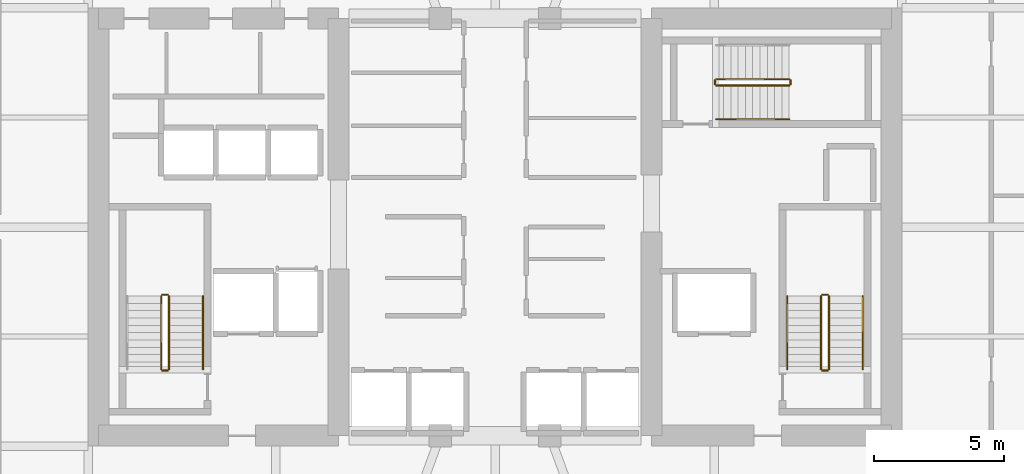
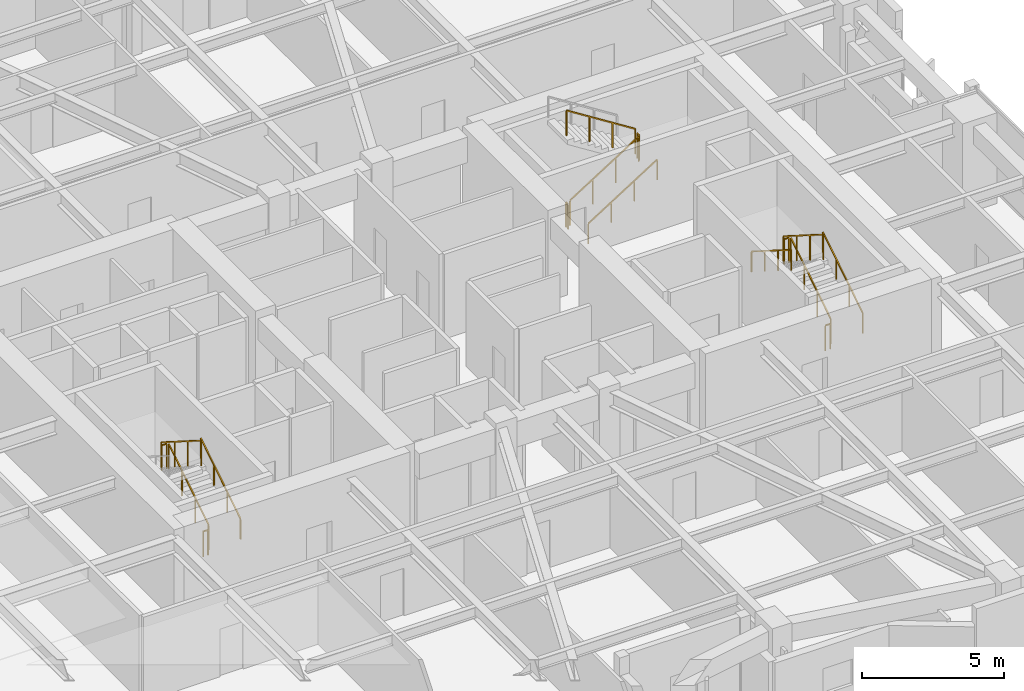
# One storey, part 23 of 24: 16 railings.
"""IFC4 building model written with IfcOpenShell, lengths in metres."""

from ifc_helpers import new_model, si_unit, direction, frame, origin, origin_2d, place, context, subcontext, project, spatial, rectangle, extrude, material, type_object, element, save


model = new_model("IFC4")

# Units and contexts
model_context = context("Model", 3, precision=1e-05, world=origin(), true_north=direction((0.0, 1.0)))
body_context = subcontext(model_context, "Body", "Model", "MODEL_VIEW")
ifc_project = project(units=[si_unit("LENGTHUNIT", "METRE"), si_unit("AREAUNIT", "SQUARE_METRE"), si_unit("VOLUMEUNIT", "CUBIC_METRE"), si_unit("PLANEANGLEUNIT", "RADIAN"), si_unit("MASSUNIT", "GRAM", prefix="KILO")], contexts=[model_context])

# Site, building, storey
site_placement = place(None, origin())
site = spatial("IfcSite", under=ifc_project, at=site_placement, CompositionType="ELEMENT")
building_placement = place(site_placement, origin())
building = spatial("IfcBuilding", under=site, at=building_placement, Name="Kiyonajd Concourse Tower", CompositionType="ELEMENT")
storey_placement = place(building_placement, frame((0.0, 0.0, 105.300048828125)))
storey = spatial("IfcBuildingStorey", under=building, at=storey_placement, Name="L27", CompositionType="ELEMENT", Elevation=105.300048828125)

# Railings
ifc_material_1 = material(Name="Steel ASTM A500 Grade C", Category="steel")
railing_type_1 = type_object("IfcRailingType", Name="RL-GRD-STR", PredefinedType="GUARDRAIL", material=ifc_material_1)
railing_1_placement = place(storey_placement, frame((35.5, 30.550048828125, 0.17724609375)))
element("IfcRailing", 1, at=railing_1_placement, inside=storey, type_object=railing_type_1, Name="L27 ST1 stair guard 1", PredefinedType="GUARDRAIL", context=body_context, shape_type="SweptSolid", body=[
    extrude(rectangle(XDim=0.048095703125, YDim=0.048095703125, at=origin_2d()), frame((0.0, 0.0, 1.076171875), z_axis=(0.0, 0.844908973607, 0.534910110503), x_axis=(-1.0, 0.0, 0.0)), (0.0, 0.0, 1.0), 3.31396484375),
    extrude(rectangle(XDim=0.0419921875, YDim=0.0419921875, at=origin_2d()), origin(), (0.0, 0.0, 1.0), 1.052001953125),
    extrude(rectangle(XDim=0.0419921875, YDim=0.0419921875, at=origin_2d()), frame((0.0, 0.933349609375, 0.5908203125)), (0.0, 0.0, 1.0), 1.052001953125),
    extrude(rectangle(XDim=0.0419921875, YDim=0.0419921875, at=origin_2d()), frame((0.0, 1.86669921875, 1.181884765625)), (0.0, 0.0, 1.0), 1.052001953125),
    extrude(rectangle(XDim=0.0419921875, YDim=0.0419921875, at=origin_2d()), frame((0.0, 2.800048828125, 1.772705078125)), (0.0, 0.0, 1.0), 1.052001953125),
])
railing_2_placement = place(storey_placement, frame((35.449951171875, 33.39990234375, 1.949951171875)))
element("IfcRailing", 2, at=railing_2_placement, inside=storey, type_object=railing_type_1, Name="L27 ST1 stair guard 2", PredefinedType="GUARDRAIL", context=body_context, shape_type="SweptSolid", body=[
    extrude(rectangle(XDim=0.048095703125, YDim=0.048095703125, at=origin_2d()), frame((0.0, 0.0, 1.076171875), z_axis=(-1.0, 0.0, 0.0), x_axis=(0.0, -1.0, 0.0)), (0.0, 0.0, 1.0), 0.199951171875),
    extrude(rectangle(XDim=0.0419921875, YDim=0.0419921875, at=origin_2d()), origin(), (0.0, 0.0, 1.0), 1.052001953125),
    extrude(rectangle(XDim=0.0419921875, YDim=0.0419921875, at=origin_2d()), frame((-0.199951171875, 0.0, 0.0)), (0.0, 0.0, 1.0), 1.052001953125),
])
railing_3_placement = place(storey_placement, frame((35.199951171875, 33.35009765625, 2.127197265625)))
element("IfcRailing", 3, at=railing_3_placement, inside=storey, type_object=railing_type_1, Name="L27 ST1 stair guard 3", PredefinedType="GUARDRAIL", context=body_context, shape_type="SweptSolid", body=[
    extrude(rectangle(XDim=0.048095703125, YDim=0.048095703125, at=origin_2d()), frame((0.0, 0.0, 1.076171875), z_axis=(0.0, -0.844908973607, 0.534910110503), x_axis=(1.0, 0.0, 0.0)), (0.0, 0.0, 1.0), 3.31396484375),
    extrude(rectangle(XDim=0.0419921875, YDim=0.0419921875, at=origin_2d()), origin(), (0.0, 0.0, 1.0), 1.052001953125),
    extrude(rectangle(XDim=0.0419921875, YDim=0.0419921875, at=origin_2d()), frame((0.0, -0.933349609375, 0.5908203125)), (0.0, 0.0, 1.0), 1.052001953125),
    extrude(rectangle(XDim=0.0419921875, YDim=0.0419921875, at=origin_2d()), frame((0.0, -1.86669921875, 1.181884765625)), (0.0, 0.0, 1.0), 1.052001953125),
    extrude(rectangle(XDim=0.0419921875, YDim=0.0419921875, at=origin_2d()), frame((0.0, -2.800048828125, 1.772705078125)), (0.0, 0.0, 1.0), 1.052001953125),
])
railing_4_placement = place(storey_placement, frame((35.449951171875, 30.5, 0.0)))
element("IfcRailing", 4, at=railing_4_placement, inside=storey, type_object=railing_type_1, Name="L27 ST1 stair guard 4", PredefinedType="GUARDRAIL", context=body_context, shape_type="SweptSolid", body=[
    extrude(rectangle(XDim=0.048095703125, YDim=0.048095703125, at=origin_2d()), frame((0.0, 0.0, 1.076171875), z_axis=(-1.0, 0.0, 0.0), x_axis=(0.0, -1.0, 0.0)), (0.0, 0.0, 1.0), 0.199951171875),
    extrude(rectangle(XDim=0.0419921875, YDim=0.0419921875, at=origin_2d()), origin(), (0.0, 0.0, 1.0), 1.052001953125),
    extrude(rectangle(XDim=0.0419921875, YDim=0.0419921875, at=origin_2d()), frame((-0.199951171875, 0.0, 0.0)), (0.0, 0.0, 1.0), 1.052001953125),
])
railing_5_placement = place(storey_placement, frame((60.800048828125, 30.550048828125, 0.17724609375)))
element("IfcRailing", 5, at=railing_5_placement, inside=storey, type_object=railing_type_1, Name="L27 ST2 stair guard 1", PredefinedType="GUARDRAIL", context=body_context, shape_type="SweptSolid", body=[
    extrude(rectangle(XDim=0.048095703125, YDim=0.048095703125, at=origin_2d()), frame((0.0, 0.0, 1.076171875), z_axis=(0.0, 0.844908973607, 0.534910110503), x_axis=(-1.0, 0.0, 0.0)), (0.0, 0.0, 1.0), 3.31396484375),
    extrude(rectangle(XDim=0.0419921875, YDim=0.0419921875, at=origin_2d()), origin(), (0.0, 0.0, 1.0), 1.052001953125),
    extrude(rectangle(XDim=0.0419921875, YDim=0.0419921875, at=origin_2d()), frame((0.0, 0.933349609375, 0.5908203125)), (0.0, 0.0, 1.0), 1.052001953125),
    extrude(rectangle(XDim=0.0419921875, YDim=0.0419921875, at=origin_2d()), frame((0.0, 1.86669921875, 1.181884765625)), (0.0, 0.0, 1.0), 1.052001953125),
    extrude(rectangle(XDim=0.0419921875, YDim=0.0419921875, at=origin_2d()), frame((0.0, 2.800048828125, 1.772705078125)), (0.0, 0.0, 1.0), 1.052001953125),
])
railing_6_placement = place(storey_placement, frame((60.75, 33.39990234375, 1.949951171875)))
element("IfcRailing", 6, at=railing_6_placement, inside=storey, type_object=railing_type_1, Name="L27 ST2 stair guard 2", PredefinedType="GUARDRAIL", context=body_context, shape_type="SweptSolid", body=[
    extrude(rectangle(XDim=0.048095703125, YDim=0.048095703125, at=origin_2d()), frame((0.0, 0.0, 1.076171875), z_axis=(-1.0, 0.0, 0.0), x_axis=(0.0, -1.0, 0.0)), (0.0, 0.0, 1.0), 0.199951171875),
    extrude(rectangle(XDim=0.0419921875, YDim=0.0419921875, at=origin_2d()), origin(), (0.0, 0.0, 1.0), 1.052001953125),
    extrude(rectangle(XDim=0.0419921875, YDim=0.0419921875, at=origin_2d()), frame((-0.199951171875, 0.0, 0.0)), (0.0, 0.0, 1.0), 1.052001953125),
])
railing_7_placement = place(storey_placement, frame((60.5, 33.35009765625, 2.127197265625)))
element("IfcRailing", 7, at=railing_7_placement, inside=storey, type_object=railing_type_1, Name="L27 ST2 stair guard 3", PredefinedType="GUARDRAIL", context=body_context, shape_type="SweptSolid", body=[
    extrude(rectangle(XDim=0.048095703125, YDim=0.048095703125, at=origin_2d()), frame((0.0, 0.0, 1.076171875), z_axis=(0.0, -0.844908973607, 0.534910110503), x_axis=(1.0, 0.0, 0.0)), (0.0, 0.0, 1.0), 3.31396484375),
    extrude(rectangle(XDim=0.0419921875, YDim=0.0419921875, at=origin_2d()), origin(), (0.0, 0.0, 1.0), 1.052001953125),
    extrude(rectangle(XDim=0.0419921875, YDim=0.0419921875, at=origin_2d()), frame((0.0, -0.933349609375, 0.5908203125)), (0.0, 0.0, 1.0), 1.052001953125),
    extrude(rectangle(XDim=0.0419921875, YDim=0.0419921875, at=origin_2d()), frame((0.0, -1.86669921875, 1.181884765625)), (0.0, 0.0, 1.0), 1.052001953125),
    extrude(rectangle(XDim=0.0419921875, YDim=0.0419921875, at=origin_2d()), frame((0.0, -2.800048828125, 1.772705078125)), (0.0, 0.0, 1.0), 1.052001953125),
])
railing_8_placement = place(storey_placement, frame((60.75, 30.5, 0.0)))
element("IfcRailing", 8, at=railing_8_placement, inside=storey, type_object=railing_type_1, Name="L27 ST2 stair guard 4", PredefinedType="GUARDRAIL", context=body_context, shape_type="SweptSolid", body=[
    extrude(rectangle(XDim=0.048095703125, YDim=0.048095703125, at=origin_2d()), frame((0.0, 0.0, 1.076171875), z_axis=(-1.0, 0.0, 0.0), x_axis=(0.0, -1.0, 0.0)), (0.0, 0.0, 1.0), 0.199951171875),
    extrude(rectangle(XDim=0.0419921875, YDim=0.0419921875, at=origin_2d()), origin(), (0.0, 0.0, 1.0), 1.052001953125),
    extrude(rectangle(XDim=0.0419921875, YDim=0.0419921875, at=origin_2d()), frame((-0.199951171875, 0.0, 0.0)), (0.0, 0.0, 1.0), 1.052001953125),
])
railing_9_placement = place(storey_placement, frame((56.47998046875, 41.429931640625, 0.17724609375)))
element("IfcRailing", 9, at=railing_9_placement, inside=storey, type_object=railing_type_1, Name="L27 ST3 stair guard 1", PredefinedType="GUARDRAIL", context=body_context, shape_type="SweptSolid", body=[
    extrude(rectangle(XDim=0.048095703125, YDim=0.048095703125, at=origin_2d()), frame((0.0, 0.0, 1.076171875), z_axis=(0.844908973607, 0.0, 0.534910110503), x_axis=(0.0, 1.0, 0.0)), (0.0, 0.0, 1.0), 3.31396484375),
    extrude(rectangle(XDim=0.0419921875, YDim=0.0419921875, at=origin_2d()), origin(), (0.0, 0.0, 1.0), 1.052001953125),
    extrude(rectangle(XDim=0.0419921875, YDim=0.0419921875, at=origin_2d()), frame((0.933349609375, 0.0, 0.5908203125)), (0.0, 0.0, 1.0), 1.052001953125),
    extrude(rectangle(XDim=0.0419921875, YDim=0.0419921875, at=origin_2d()), frame((1.86669921875, 0.0, 1.181884765625)), (0.0, 0.0, 1.0), 1.052001953125),
    extrude(rectangle(XDim=0.0419921875, YDim=0.0419921875, at=origin_2d()), frame((2.800048828125, 0.0, 1.772705078125)), (0.0, 0.0, 1.0), 1.052001953125),
])
railing_10_placement = place(storey_placement, frame((59.330078125, 41.47998046875, 1.949951171875)))
element("IfcRailing", 10, at=railing_10_placement, inside=storey, type_object=railing_type_1, Name="L27 ST3 stair guard 2", PredefinedType="GUARDRAIL", context=body_context, shape_type="SweptSolid", body=[
    extrude(rectangle(XDim=0.048095703125, YDim=0.048095703125, at=origin_2d()), frame((0.0, 0.0, 1.076171875), z_axis=(0.0, 1.0, 0.0), x_axis=(-1.0, 0.0, 0.0)), (0.0, 0.0, 1.0), 0.14013671875),
    extrude(rectangle(XDim=0.0419921875, YDim=0.0419921875, at=origin_2d()), origin(), (0.0, 0.0, 1.0), 1.052001953125),
    extrude(rectangle(XDim=0.0419921875, YDim=0.0419921875, at=origin_2d()), frame((0.0, 0.14013671875, 0.0)), (0.0, 0.0, 1.0), 1.052001953125),
])
railing_11_placement = place(storey_placement, frame((59.280029296875, 41.669921875, 2.127197265625)))
element("IfcRailing", 11, at=railing_11_placement, inside=storey, type_object=railing_type_1, Name="L27 ST3 stair guard 3", PredefinedType="GUARDRAIL", context=body_context, shape_type="SweptSolid", body=[
    extrude(rectangle(XDim=0.048095703125, YDim=0.048095703125, at=origin_2d()), frame((0.0, 0.0, 1.076171875), z_axis=(-0.844908973607, 0.0, 0.534910110503), x_axis=(0.0, -1.0, 0.0)), (0.0, 0.0, 1.0), 3.31396484375),
    extrude(rectangle(XDim=0.0419921875, YDim=0.0419921875, at=origin_2d()), origin(), (0.0, 0.0, 1.0), 1.052001953125),
    extrude(rectangle(XDim=0.0419921875, YDim=0.0419921875, at=origin_2d()), frame((-0.933349609375, 0.0, 0.5908203125)), (0.0, 0.0, 1.0), 1.052001953125),
    extrude(rectangle(XDim=0.0419921875, YDim=0.0419921875, at=origin_2d()), frame((-1.86669921875, 0.0, 1.181884765625)), (0.0, 0.0, 1.0), 1.052001953125),
    extrude(rectangle(XDim=0.0419921875, YDim=0.0419921875, at=origin_2d()), frame((-2.800048828125, 0.0, 1.772705078125)), (0.0, 0.0, 1.0), 1.052001953125),
])
railing_12_placement = place(storey_placement, frame((56.429931640625, 41.47998046875, 0.0)))
element("IfcRailing", 12, at=railing_12_placement, inside=storey, type_object=railing_type_1, Name="L27 ST3 stair guard 4", PredefinedType="GUARDRAIL", context=body_context, shape_type="SweptSolid", body=[
    extrude(rectangle(XDim=0.048095703125, YDim=0.048095703125, at=origin_2d()), frame((0.0, 0.0, 1.076171875), z_axis=(0.0, 1.0, 0.0), x_axis=(-1.0, 0.0, 0.0)), (0.0, 0.0, 1.0), 0.14013671875),
    extrude(rectangle(XDim=0.0419921875, YDim=0.0419921875, at=origin_2d()), origin(), (0.0, 0.0, 1.0), 1.052001953125),
    extrude(rectangle(XDim=0.0419921875, YDim=0.0419921875, at=origin_2d()), frame((0.0, 0.14013671875, 0.0)), (0.0, 0.0, 1.0), 1.052001953125),
])
ifc_material_2 = material(Name="Brushed Stainless Steel Cab Assembly", Category="steel")
railing_type_2 = type_object("IfcRailingType", Name="RL-HND-900", PredefinedType="HANDRAIL", material=ifc_material_2)
for number, where, name in (
    (13, (36.800048828125, 30.550048828125, 0.17724609375), "L27 ST1 stair handrail 1"),
    (14, (62.10009765625, 30.550048828125, 0.17724609375), "L27 ST2 stair handrail 1"),
):
    element("IfcRailing", number, at=place(storey_placement, frame(where)), inside=storey, type_object=railing_type_2, Name=name, PredefinedType="HANDRAIL", context=body_context, shape_type="SweptSolid", body=[
        extrude(rectangle(XDim=0.048095703125, YDim=0.048095703125, at=origin_2d()), frame((0.0, 0.0, 0.8759765625), z_axis=(0.0, 0.844908973607, 0.534910110503), x_axis=(-1.0, 0.0, 0.0)), (0.0, 0.0, 1.0), 3.31396484375),
        extrude(rectangle(XDim=0.0419921875, YDim=0.0419921875, at=origin_2d()), origin(), (0.0, 0.0, 1.0), 0.851806640625),
        extrude(rectangle(XDim=0.0419921875, YDim=0.0419921875, at=origin_2d()), frame((0.0, 0.933349609375, 0.5908203125)), (0.0, 0.0, 1.0), 0.851806640625),
        extrude(rectangle(XDim=0.0419921875, YDim=0.0419921875, at=origin_2d()), frame((0.0, 1.86669921875, 1.181884765625)), (0.0, 0.0, 1.0), 0.851806640625),
        extrude(rectangle(XDim=0.0419921875, YDim=0.0419921875, at=origin_2d()), frame((0.0, 2.800048828125, 1.772705078125)), (0.0, 0.0, 1.0), 0.851806640625),
    ])
railing_13_placement = place(storey_placement, frame((59.199951171875, 33.35009765625, 2.127197265625)))
element("IfcRailing", 15, at=railing_13_placement, inside=storey, type_object=railing_type_2, Name="L27 ST2 stair handrail 2", PredefinedType="HANDRAIL", context=body_context, shape_type="SweptSolid", body=[
    extrude(rectangle(XDim=0.048095703125, YDim=0.048095703125, at=origin_2d()), frame((0.0, 0.0, 0.8759765625), z_axis=(0.0, -0.844908973607, 0.534910110503), x_axis=(1.0, 0.0, 0.0)), (0.0, 0.0, 1.0), 3.31396484375),
    extrude(rectangle(XDim=0.0419921875, YDim=0.0419921875, at=origin_2d()), origin(), (0.0, 0.0, 1.0), 0.851806640625),
    extrude(rectangle(XDim=0.0419921875, YDim=0.0419921875, at=origin_2d()), frame((0.0, -0.933349609375, 0.5908203125)), (0.0, 0.0, 1.0), 0.851806640625),
    extrude(rectangle(XDim=0.0419921875, YDim=0.0419921875, at=origin_2d()), frame((0.0, -1.86669921875, 1.181884765625)), (0.0, 0.0, 1.0), 0.851806640625),
    extrude(rectangle(XDim=0.0419921875, YDim=0.0419921875, at=origin_2d()), frame((0.0, -2.800048828125, 1.772705078125)), (0.0, 0.0, 1.0), 0.851806640625),
])
railing_14_placement = place(storey_placement, frame((56.47998046875, 40.1298828125, 0.17724609375)))
element("IfcRailing", 16, at=railing_14_placement, inside=storey, type_object=railing_type_2, Name="L27 ST3 stair handrail 1", PredefinedType="HANDRAIL", context=body_context, shape_type="SweptSolid", body=[
    extrude(rectangle(XDim=0.048095703125, YDim=0.048095703125, at=origin_2d()), frame((0.0, 0.0, 0.8759765625), z_axis=(0.844908973607, 0.0, 0.534910110503), x_axis=(0.0, 1.0, 0.0)), (0.0, 0.0, 1.0), 3.31396484375),
    extrude(rectangle(XDim=0.0419921875, YDim=0.0419921875, at=origin_2d()), origin(), (0.0, 0.0, 1.0), 0.851806640625),
    extrude(rectangle(XDim=0.0419921875, YDim=0.0419921875, at=origin_2d()), frame((0.933349609375, 0.0, 0.5908203125)), (0.0, 0.0, 1.0), 0.851806640625),
    extrude(rectangle(XDim=0.0419921875, YDim=0.0419921875, at=origin_2d()), frame((1.86669921875, 0.0, 1.181884765625)), (0.0, 0.0, 1.0), 0.851806640625),
    extrude(rectangle(XDim=0.0419921875, YDim=0.0419921875, at=origin_2d()), frame((2.800048828125, 0.0, 1.772705078125)), (0.0, 0.0, 1.0), 0.851806640625),
])

save(model, "model.ifc")
